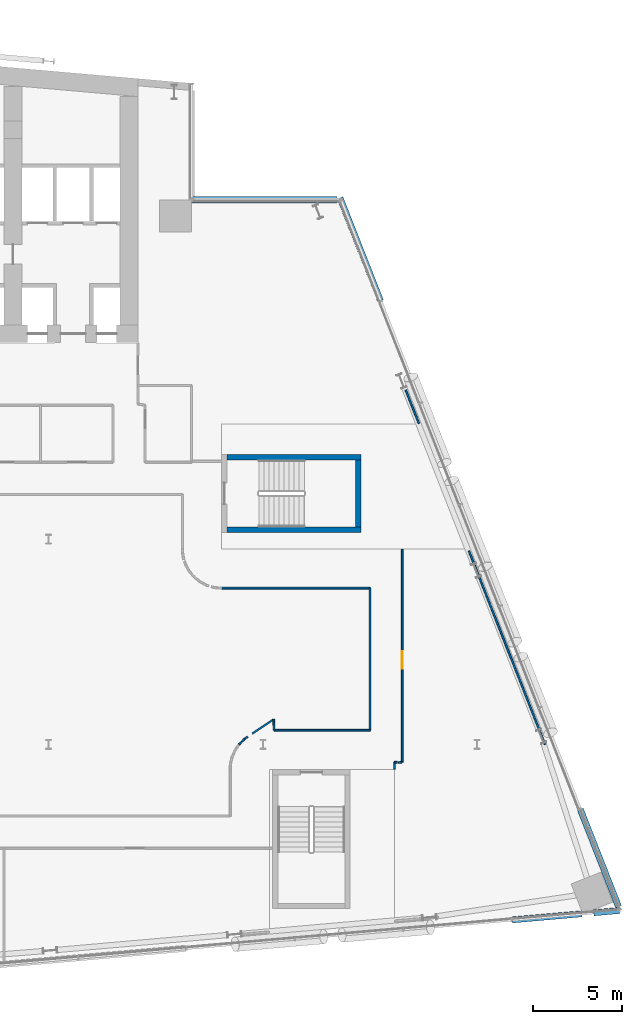
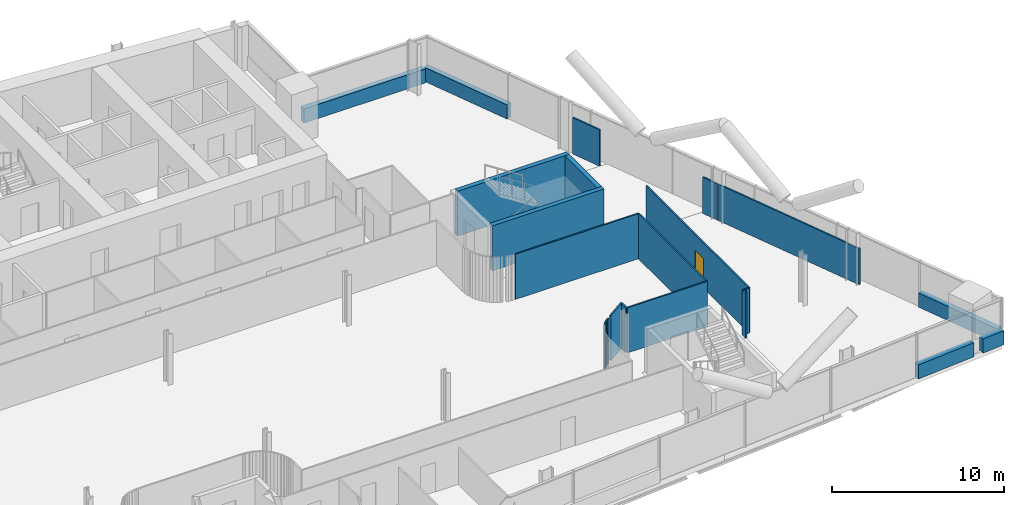
# One storey, part 23 of 31: 23 walls, 1 door, 1 opening.
"""IFC4 building model written with IfcOpenShell, lengths in metres."""

from ifc_helpers import new_model, si_unit, direction, frame, frame_2d, origin, place, context, subcontext, project, spatial, rectangle, extrude, material, layer, layer_set, type_object, element, fill, save


model = new_model("IFC4")

# Units and contexts
model_context = context("Model", 3, precision=1e-05, world=origin(), true_north=direction((0.0, 1.0)))
body_context = subcontext(model_context, "Body", "Model", "MODEL_VIEW")
ifc_project = project(units=[si_unit("LENGTHUNIT", "METRE"), si_unit("AREAUNIT", "SQUARE_METRE"), si_unit("VOLUMEUNIT", "CUBIC_METRE"), si_unit("PLANEANGLEUNIT", "RADIAN"), si_unit("MASSUNIT", "GRAM", prefix="KILO")], contexts=[model_context])

# Site, building, storey
site_placement = place(None, origin())
site = spatial("IfcSite", under=ifc_project, at=site_placement, CompositionType="ELEMENT")
building_placement = place(site_placement, origin())
building = spatial("IfcBuilding", under=site, at=building_placement, Name="Wharfspan Tower", CompositionType="ELEMENT")
storey_placement = place(building_placement, frame((0.0, 0.0, 103.899902)))
storey = spatial("IfcBuildingStorey", under=building, at=storey_placement, Name="L23", CompositionType="ELEMENT", Elevation=103.899902)

# Walls
ifc_material_1 = material(Name="Gypsum board on steel studs", Category="steel")
ifc_layer_1 = layer(ifc_material_1, 0.100098)
ifc_layer_set_1 = layer_set([ifc_layer_1], Name="Gypsum board on steel studs")
wall_type_1 = type_object("IfcWallType", Name="Compartment wall 100 EI 60", PredefinedType="PARTITIONING", material=ifc_layer_set_1)
wall_1_placement = place(storey_placement, frame((69.689941, 20.25, 0.0), z_axis=(0.0, 0.0, 1.0), x_axis=(1.0, 0.0, 0.0)))
element("IfcWall", 1, at=wall_1_placement, inside=storey, type_object=wall_type_1, Name="Partition L23.w100", PredefinedType="PARTITIONING", context=body_context, shape_type="SweptSolid", body=[
    extrude(rectangle(XDim=8.310059, YDim=0.100098, at=frame_2d((4.155029, 0.0))), origin(), (0.0, 0.0, 1.0), 3.200195),
])
for number, where, z_axis, x_axis, name in (
    (2, (70.665039, 11.48999, 0.0), (0.0, 0.0, 1.0), (0.671775, 0.740762, 0.0), "Partition L23.w110"),
    (3, (70.810059, 11.649902, 0.0), (0.0, 0.0, 1.0), (0.740762, 0.671775, 0.0), "Partition L23.w112"),
):
    element("IfcWall", number, at=place(storey_placement, frame(where, z_axis=z_axis, x_axis=x_axis)), inside=storey, type_object=wall_type_1, Name=name, PredefinedType="PARTITIONING", context=body_context, shape_type="SweptSolid", body=[
        extrude(rectangle(XDim=0.21582, YDim=0.100098, at=frame_2d((0.10791, 0.0))), origin(), (0.0, 0.0, 1.0), 3.200195),
    ])
wall_2_placement = place(storey_placement, frame((70.969971, 11.794922, 0.0), z_axis=(0.0, 0.0, 1.0), x_axis=(0.802549, 0.596595, 0.0)))
element("IfcWall", 4, at=wall_2_placement, inside=storey, type_object=wall_type_1, Name="Partition L23.w113", PredefinedType="PARTITIONING", context=body_context, shape_type="SweptSolid", body=[
    extrude(rectangle(XDim=0.218018, YDim=0.100098, at=frame_2d((0.108887, 0.0))), origin(), (0.0, 0.0, 1.0), 3.200195),
])
wall_3_placement = place(storey_placement, frame((71.399902, 12.100098, 0.0), z_axis=(0.0, 0.0, 1.0), x_axis=(0.83215, 0.554541, 0.0)))
element("IfcWall", 5, at=wall_3_placement, inside=storey, type_object=wall_type_1, Name="Partition L23.w114", PredefinedType="PARTITIONING", context=body_context, shape_type="SweptSolid", body=[
    extrude(rectangle(XDim=1.442383, YDim=0.100098, at=frame_2d((0.721191, 0.0))), origin(), (0.0, 0.0, 1.0), 3.200195),
])
wall_4_placement = place(storey_placement, frame((72.625, 12.294922, 0.0), z_axis=(0.0, 0.0, 1.0), x_axis=(1.0, 0.0, 0.0)))
element("IfcWall", 6, at=wall_4_placement, inside=storey, type_object=wall_type_1, Name="Partition L23.w115", PredefinedType="PARTITIONING", context=body_context, shape_type="SweptSolid", body=[
    extrude(rectangle(XDim=5.375, YDim=0.100098, at=frame_2d((2.6875, 0.0))), origin(), (0.0, 0.0, 1.0), 3.200195),
])
wall_5_placement = place(storey_placement, frame((72.625, 12.294922, 0.0), z_axis=(0.0, 0.0, 1.0), x_axis=(-0.041127, 0.99915, 0.0)))
element("IfcWall", 7, at=wall_5_placement, inside=storey, type_object=wall_type_1, Name="Partition L23.w116", PredefinedType="PARTITIONING", context=body_context, shape_type="SweptSolid", body=[
    extrude(rectangle(XDim=0.605469, YDim=0.100098, at=frame_2d((0.302734, 0.0))), origin(), (0.0, 0.0, 1.0), 3.200195),
])
wall_6_placement = place(storey_placement, frame((78.0, 12.294922, 0.0), z_axis=(0.0, 0.0, 1.0), x_axis=(0.0, 1.0, 0.0)))
element("IfcWall", 8, at=wall_6_placement, inside=storey, type_object=wall_type_1, Name="Partition L23.w117", PredefinedType="PARTITIONING", context=body_context, shape_type="SweptSolid", body=[
    extrude(rectangle(XDim=7.955078, YDim=0.100098, at=frame_2d((3.977539, 0.0))), origin(), (0.0, 0.0, 1.0), 3.200195),
])
wall_7_placement = place(storey_placement, frame((79.36499, 10.114746, 0.0), z_axis=(0.0, 0.0, 1.0), x_axis=(0.0, 1.0, 0.0)))
element("IfcWall", 9, at=wall_7_placement, inside=storey, type_object=wall_type_1, Name="Partition L23.w118", PredefinedType="PARTITIONING", context=body_context, shape_type="SweptSolid", body=[
    extrude(rectangle(XDim=0.380371, YDim=0.100098, at=frame_2d((0.190186, 0.0))), origin(), (0.0, 0.0, 1.0), 3.200195),
])
wall_8_placement = place(storey_placement, frame((79.36499, 10.495117, 0.0), z_axis=(0.0, 0.0, 1.0), x_axis=(1.0, 0.0, 0.0)))
element("IfcWall", 10, at=wall_8_placement, inside=storey, type_object=wall_type_1, Name="Partition L23.w119", PredefinedType="PARTITIONING", context=body_context, shape_type="SweptSolid", body=[
    extrude(rectangle(XDim=0.169922, YDim=0.100098, at=frame_2d((0.084961, 0.0))), origin(), (0.0, 0.0, 1.0), 3.200195),
])
wall_9_placement = place(storey_placement, frame((79.590088, 10.485107, 0.0), z_axis=(0.0, 0.0, 1.0), x_axis=(0.998455, 0.055545, 0.0)))
element("IfcWall", 11, at=wall_9_placement, inside=storey, type_object=wall_type_1, Name="Partition L23.w121", PredefinedType="PARTITIONING", context=body_context, shape_type="SweptSolid", body=[
    extrude(rectangle(XDim=0.180176, YDim=0.100098, at=frame_2d((0.090088, 0.0))), origin(), (0.0, 0.0, 1.0), 3.200195),
])

# Wall, opening, door
wall_10_placement = place(storey_placement, frame((79.800049, 10.495117, 0.0), z_axis=(0.0, 0.0, 1.0), x_axis=(0.0, 1.0, 0.0)))
wall_10 = element("IfcWall", 12, at=wall_10_placement, inside=storey, type_object=wall_type_1, Name="Partition L23.w122", PredefinedType="PARTITIONING", context=body_context, shape_type="SweptSolid", body=[
    extrude(rectangle(XDim=11.934814, YDim=0.100098, at=frame_2d((5.967285, 0.0))), origin(), (0.0, 0.0, 1.0), 3.200195),
])
opening_placement = place(wall_10_placement, frame((5.229736, 0.0, 0.0)))
opening = element("IfcOpeningElement", 13, at=opening_placement, cuts=wall_10, Name="Opening B2-10", PredefinedType="OPENING", context=body_context, shape_type="SweptSolid", body=[
    extrude(rectangle(XDim=1.0, YDim=2.100098, at=frame_2d((0.5, 1.050049))), frame((0.0, 0.060059, 0.0), z_axis=(0.0, -1.0, 0.0), x_axis=(1.0, 0.0, 0.0)), (0.0, 0.0, 1.0), 0.120117),
])
ifc_material_2 = material(Name="Fire-rated timber door leaf in steel frame", Category="steel")
door_type = type_object("IfcDoorType", Name="Door 1000 FD30S Left", OperationType="SINGLE_SWING_LEFT", PredefinedType="DOOR", material=ifc_material_2)
door_placement = place(opening_placement, origin())
door = element("IfcDoor", 14, at=door_placement, inside=storey, type_object=door_type, Name="Door B2-10", OperationType="SINGLE_SWING_LEFT", OverallHeight=2.100098, OverallWidth=1.0, PredefinedType="DOOR", context=body_context, shape_type="SweptSolid", body=[
    extrude(rectangle(XDim=1.0, YDim=2.100098, at=frame_2d((0.5, 1.050049))), frame((0.0, 0.024902, 0.0), z_axis=(0.0, -1.0, 0.0), x_axis=(1.0, 0.0, 0.0)), (0.0, 0.0, 1.0), 0.050049),
])
fill(opening, door)

# Walls
ifc_layer_2 = layer(ifc_material_1, 0.100098)
ifc_layer_set_2 = layer_set([ifc_layer_2], Name="Gypsum board on steel studs")
wall_type_2 = type_object("IfcWallType", Name="Partition 100", PredefinedType="PARTITIONING", material=ifc_layer_set_2)
wall_11_placement = place(storey_placement, frame((80.737061, 29.469971, 0.0), z_axis=(0.0, 0.0, 1.0), x_axis=(-0.365847, 0.930674, 0.0)))
element("IfcWall", 15, at=wall_11_placement, inside=storey, type_object=wall_type_2, Name="Partition L23.w123", PredefinedType="PARTITIONING", context=body_context, shape_type="SweptSolid", body=[
    extrude(rectangle(XDim=2.014648, YDim=0.100098, at=frame_2d((1.007324, 0.0))), origin(), (0.0, 0.0, 1.0), 2.580078),
])
wall_12_placement = place(storey_placement, frame((83.959961, 21.264893, 0.0), z_axis=(0.0, 0.0, 1.0), x_axis=(-0.364889, 0.931052, 0.0)))
element("IfcWall", 16, at=wall_12_placement, inside=storey, type_object=wall_type_2, Name="Partition L23.w124", PredefinedType="PARTITIONING", context=body_context, shape_type="SweptSolid", body=[
    extrude(rectangle(XDim=1.147461, YDim=0.100098, at=frame_2d((0.57373, 0.0))), origin(), (0.0, 0.0, 1.0), 2.580078),
])
wall_13_placement = place(storey_placement, frame((87.800049, 11.5, 0.0), z_axis=(0.0, 0.0, 1.0), x_axis=(-0.365945, 0.930635, 0.0)))
element("IfcWall", 17, at=wall_13_placement, inside=storey, type_object=wall_type_2, Name="Partition L23.w125", PredefinedType="PARTITIONING", context=body_context, shape_type="SweptSolid", body=[
    extrude(rectangle(XDim=10.463623, YDim=0.100098, at=frame_2d((5.231934, 0.0))), origin(), (0.0, 0.0, 1.0), 2.580078),
])
ifc_material_3 = material(Name="Concrete C40/50", Category="concrete")
ifc_layer_3 = layer(ifc_material_3, 0.350098)
ifc_layer_set_3 = layer_set([ifc_layer_3], Name="Concrete C40/50")
wall_type_3 = type_object("IfcWallType", Name="SPANDREL EXPOSED CONCRETE 350", PredefinedType="SOLIDWALL", material=ifc_layer_set_3)
wall_14_placement = place(storey_placement, frame((85.958984, 1.666504, 0.0), z_axis=(0.0, 0.0, 1.0), x_axis=(0.996194, 0.087167, 0.0)))
element("IfcWall", 18, at=wall_14_placement, inside=storey, type_object=wall_type_3, Name="Spandrel upstand L23 S2 2", PredefinedType="SOLIDWALL", context=body_context, shape_type="SweptSolid", body=[
    extrude(rectangle(XDim=3.921143, YDim=0.350098, at=frame_2d((1.960449, 0.0))), origin(), (0.0, 0.0, 1.0), 1.0),
])
wall_15_placement = place(storey_placement, frame((90.5271, 2.066162, 0.0), z_axis=(0.0, 0.0, 1.0), x_axis=(0.996198, 0.087157, 0.0)))
element("IfcWall", 19, at=wall_15_placement, inside=storey, type_object=wall_type_3, Name="Spandrel upstand L23 S2 3", PredefinedType="SOLIDWALL", context=body_context, shape_type="SweptSolid", body=[
    extrude(rectangle(XDim=1.479004, YDim=0.350098, at=frame_2d((0.739502, 0.0))), origin(), (0.0, 0.0, 1.0), 1.0),
])
wall_16_placement = place(storey_placement, frame((91.921387, 2.413574, 0.0), z_axis=(0.0, 0.0, 1.0), x_axis=(-0.36578, 0.930701, 0.0)))
element("IfcWall", 20, at=wall_16_placement, inside=storey, type_object=wall_type_3, Name="Spandrel upstand L23 E 1", PredefinedType="SOLIDWALL", context=body_context, shape_type="SweptSolid", body=[
    extrude(rectangle(XDim=5.851562, YDim=0.350098, at=frame_2d((2.925781, 0.0))), origin(), (0.0, 0.0, 1.0), 1.0),
])
wall_17_placement = place(storey_placement, frame((78.586426, 36.343994, 0.0), z_axis=(0.0, 0.0, 1.0), x_axis=(-0.365792, 0.930699, 0.0)))
element("IfcWall", 21, at=wall_17_placement, inside=storey, type_object=wall_type_3, Name="Spandrel upstand L23 E 2", PredefinedType="SOLIDWALL", context=body_context, shape_type="SweptSolid", body=[
    extrude(rectangle(XDim=6.20166, YDim=0.350098, at=frame_2d((3.10083, 0.0))), origin(), (0.0, 0.0, 1.0), 1.0),
])
wall_18_placement = place(storey_placement, frame((76.155029, 42.004883, 0.0), z_axis=(0.0, 0.0, 1.0), x_axis=(-1.0, 0.0, 0.0)))
element("IfcWall", 22, at=wall_18_placement, inside=storey, type_object=wall_type_3, Name="Spandrel upstand L23 NRE-H", PredefinedType="SOLIDWALL", context=body_context, shape_type="SweptSolid", body=[
    extrude(rectangle(XDim=8.155029, YDim=0.350098, at=frame_2d((4.077637, 0.0))), origin(), (0.0, 0.0, 1.0), 1.0),
])
ifc_layer_4 = layer(ifc_material_3, 0.300049)
ifc_layer_set_4 = layer_set([ifc_layer_4], Name="Concrete C40/50")
wall_type_4 = type_object("IfcWallType", Name="Stair core wall 300", PredefinedType="SHEAR", material=ifc_layer_set_4)
for number, where, z_axis, x_axis, name in (
    (23, (69.990479, 23.524902, 0.0), (0.0, 0.0, 1.0), (1.0, 0.0, 0.0), "ST6 stair enclosure wall L23"),
    (24, (69.990479, 27.574951, 0.0), (0.0, 0.0, 1.0), (1.0, 0.0, 0.0), "ST6 stair enclosure wall L23"),
):
    element("IfcWall", number, at=place(storey_placement, frame(where, z_axis=z_axis, x_axis=x_axis)), inside=storey, type_object=wall_type_4, Name=name, PredefinedType="SHEAR", context=body_context, shape_type="SweptSolid", body=[
        extrude(rectangle(XDim=7.5, YDim=0.300049, at=frame_2d((3.75, 0.0))), origin(), (0.0, 0.0, 1.0), 3.200195),
    ])
wall_19_placement = place(storey_placement, frame((77.340332, 23.675049, 0.0), z_axis=(0.0, 0.0, 1.0), x_axis=(0.0, 1.0, 0.0)))
element("IfcWall", 25, at=wall_19_placement, inside=storey, type_object=wall_type_4, Name="ST6 stair enclosure wall L23", PredefinedType="SHEAR", context=body_context, shape_type="SweptSolid", body=[
    extrude(rectangle(XDim=3.75, YDim=0.300049, at=frame_2d((1.875, 0.0))), origin(), (0.0, 0.0, 1.0), 3.200195),
])

save(model, "model.ifc")
